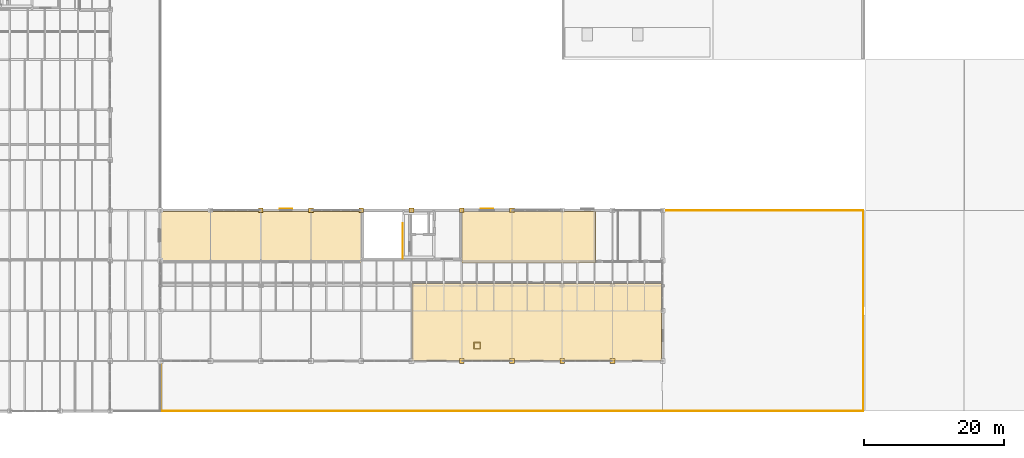
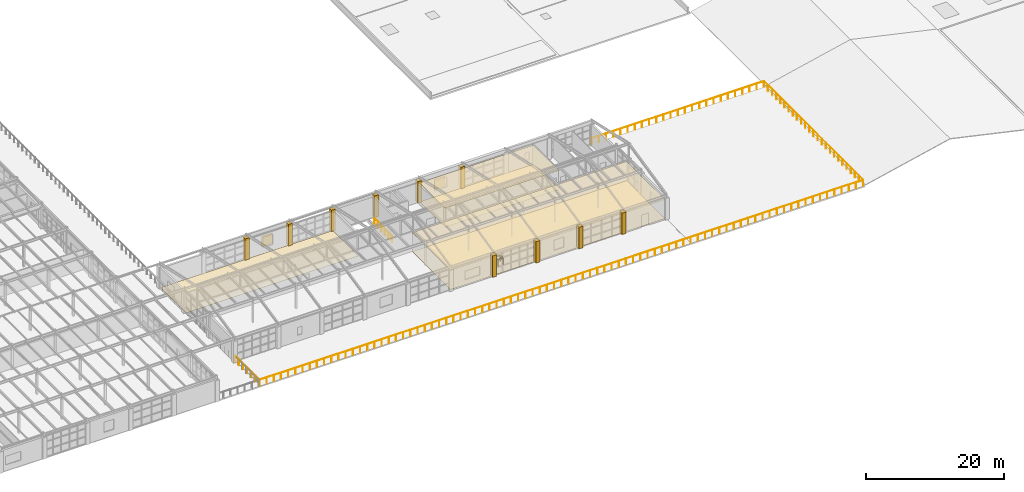
# One storey, part 99 of 101: 15 coverings, 3 railings, 2 shading devices.
"""IFC4 building model written with IfcOpenShell, lengths in metres."""

from ifc_helpers import new_model, si_unit, direction, frame, origin, origin_2d, place, context, subcontext, project, spatial, polyline, rectangle, circle, outline, extrude, material, layer, layer_set, type_object, element, save


model = new_model("IFC4")

# Units and contexts
model_context = context("Model", 3, precision=1e-05, world=origin(), true_north=direction((0.0, 1.0)))
body_context = subcontext(model_context, "Body", "Model", "MODEL_VIEW")
ifc_project = project(units=[si_unit("LENGTHUNIT", "METRE"), si_unit("AREAUNIT", "SQUARE_METRE"), si_unit("VOLUMEUNIT", "CUBIC_METRE"), si_unit("PLANEANGLEUNIT", "RADIAN"), si_unit("MASSUNIT", "GRAM", prefix="KILO")], contexts=[model_context])

# Site, building, storey
site_placement = place(None, origin())
site = spatial("IfcSite", under=ifc_project, at=site_placement, CompositionType="ELEMENT")
building_placement = place(site_placement, origin())
building = spatial("IfcBuilding", under=site, at=building_placement, Name="Kemerveld Promenade Tramway Depot", CompositionType="ELEMENT")
storey_placement = place(building_placement, frame((0.0, 0.0, 9.89990234375)))
storey = spatial("IfcBuildingStorey", under=building, at=storey_placement, Name="L02", CompositionType="ELEMENT", Elevation=9.89990234375)

# Coverings
ifc_material_1 = material(Name="Perforated mineral-fibre acoustic ceiling")
ifc_layer_1 = layer(ifc_material_1, 0.02490234375)
ifc_layer_set_1 = layer_set([ifc_layer_1], Name="COV-CEIL-AC")
covering_type_1 = type_object("IfcCoveringType", Name="COV-CEIL-AC", PredefinedType="CEILING", material=ifc_layer_set_1)
covering_1_placement = place(storey_placement, frame((0.0, 0.0, 3.35498046875)))
element("IfcCovering", 1, at=covering_1_placement, inside=storey, type_object=covering_type_1, Name="CEIL-RM-L02-V4-LIB", PredefinedType="CEILING", context=body_context, shape_type="SweptSolid", body=[
    extrude(outline(polyline([(93.64990234375, 7.25), (129.449951171875, 7.25), (129.449951171875, 18.3349609375), (93.64990234375, 18.3349609375), (93.64990234375, 7.25)])), origin(), (0.0, 0.0, 1.0), 0.025146484375),
])
covering_2_placement = place(storey_placement, frame((0.0, 0.0, 3.35498046875)))
element("IfcCovering", 2, at=covering_2_placement, inside=storey, type_object=covering_type_1, Name="CEIL-RM-L02-V4-TLNG", PredefinedType="CEILING", context=body_context, shape_type="SweptSolid", body=[
    extrude(outline(polyline([(100.85009765625, 21.25), (119.949951171875, 21.25), (119.949951171875, 28.64990234375), (100.85009765625, 28.64990234375), (100.85009765625, 21.25)])), origin(), (0.0, 0.0, 1.0), 0.025146484375),
])
ifc_material_2 = material(Name="Dressed Harare granite ashlar cladding", Category="masonry")
ifc_layer_2 = layer(ifc_material_2, 0.050048828125)
ifc_layer_set_2 = layer_set([ifc_layer_2], Name="COV-CLAD-GRAN")
covering_type_2 = type_object("IfcCoveringType", Name="COV-CLAD-GRAN", PredefinedType="CLADDING", material=ifc_layer_set_2)
covering_3_placement = place(storey_placement, origin())
element("IfcCovering", 3, at=covering_3_placement, inside=storey, type_object=covering_type_2, Name="CLAD-PIER-L02-328", PredefinedType="CLADDING", context=body_context, shape_type="SweptSolid", body=[
    extrude(outline(polyline([(122.06005859375, 6.860107421875), (122.739990234375, 6.860107421875), (122.739990234375, 7.5400390625), (122.06005859375, 7.5400390625), (122.06005859375, 6.860107421875)])), origin(), (0.0, 0.0, 1.0), 3.800048828125),
])
covering_4_placement = place(storey_placement, origin())
element("IfcCovering", 4, at=covering_4_placement, inside=storey, type_object=covering_type_2, Name="CLAD-PIER-L02-329", PredefinedType="CLADDING", context=body_context, shape_type="SweptSolid", body=[
    extrude(outline(polyline([(114.860107421875, 6.860107421875), (115.5400390625, 6.860107421875), (115.5400390625, 7.5400390625), (114.860107421875, 7.5400390625), (114.860107421875, 6.860107421875)])), origin(), (0.0, 0.0, 1.0), 3.800048828125),
])
covering_5_placement = place(storey_placement, origin())
element("IfcCovering", 5, at=covering_5_placement, inside=storey, type_object=covering_type_2, Name="CLAD-PIER-L02-330", PredefinedType="CLADDING", context=body_context, shape_type="SweptSolid", body=[
    extrude(outline(polyline([(107.659912109375, 6.860107421875), (108.340087890625, 6.860107421875), (108.340087890625, 7.5400390625), (107.659912109375, 7.5400390625), (107.659912109375, 6.860107421875)])), origin(), (0.0, 0.0, 1.0), 3.800048828125),
])
covering_6_placement = place(storey_placement, origin())
element("IfcCovering", 6, at=covering_6_placement, inside=storey, type_object=covering_type_2, Name="CLAD-PIER-L02-331", PredefinedType="CLADDING", context=body_context, shape_type="SweptSolid", body=[
    extrude(outline(polyline([(100.4599609375, 6.860107421875), (101.139892578125, 6.860107421875), (101.139892578125, 7.5400390625), (100.4599609375, 7.5400390625), (100.4599609375, 6.860107421875)])), origin(), (0.0, 0.0, 1.0), 3.800048828125),
])
covering_7_placement = place(storey_placement, origin())
element("IfcCovering", 7, at=covering_7_placement, inside=storey, type_object=covering_type_2, Name="CLAD-PIER-L02-339", PredefinedType="CLADDING", context=body_context, shape_type="SweptSolid", body=[
    extrude(outline(polyline([(71.659912109375, 28.4599609375), (72.340087890625, 28.4599609375), (72.340087890625, 29.139892578125), (71.659912109375, 29.139892578125), (71.659912109375, 28.4599609375)])), origin(), (0.0, 0.0, 1.0), 3.800048828125),
])
covering_8_placement = place(storey_placement, origin())
element("IfcCovering", 8, at=covering_8_placement, inside=storey, type_object=covering_type_2, Name="CLAD-PIER-L02-340", PredefinedType="CLADDING", context=body_context, shape_type="SweptSolid", body=[
    extrude(outline(polyline([(78.860107421875, 28.4599609375), (79.5400390625, 28.4599609375), (79.5400390625, 29.139892578125), (78.860107421875, 29.139892578125), (78.860107421875, 28.4599609375)])), origin(), (0.0, 0.0, 1.0), 3.800048828125),
])
covering_9_placement = place(storey_placement, origin())
element("IfcCovering", 9, at=covering_9_placement, inside=storey, type_object=covering_type_2, Name="CLAD-PIER-L02-341", PredefinedType="CLADDING", context=body_context, shape_type="SweptSolid", body=[
    extrude(outline(polyline([(86.06005859375, 28.4599609375), (86.739990234375, 28.4599609375), (86.739990234375, 29.139892578125), (86.06005859375, 29.139892578125), (86.06005859375, 28.4599609375)])), origin(), (0.0, 0.0, 1.0), 3.800048828125),
])
covering_10_placement = place(storey_placement, origin())
element("IfcCovering", 10, at=covering_10_placement, inside=storey, type_object=covering_type_2, Name="CLAD-PIER-L02-342", PredefinedType="CLADDING", context=body_context, shape_type="SweptSolid", body=[
    extrude(outline(polyline([(93.260009765625, 28.4599609375), (93.93994140625, 28.4599609375), (93.93994140625, 29.139892578125), (93.260009765625, 29.139892578125), (93.260009765625, 28.4599609375)])), origin(), (0.0, 0.0, 1.0), 3.800048828125),
])
covering_11_placement = place(storey_placement, origin())
element("IfcCovering", 11, at=covering_11_placement, inside=storey, type_object=covering_type_2, Name="CLAD-PIER-L02-343", PredefinedType="CLADDING", context=body_context, shape_type="SweptSolid", body=[
    extrude(outline(polyline([(100.4599609375, 28.4599609375), (101.139892578125, 28.4599609375), (101.139892578125, 29.139892578125), (100.4599609375, 29.139892578125), (100.4599609375, 28.4599609375)])), origin(), (0.0, 0.0, 1.0), 3.800048828125),
])
covering_12_placement = place(storey_placement, origin())
element("IfcCovering", 12, at=covering_12_placement, inside=storey, type_object=covering_type_2, Name="CLAD-PIER-L02-344", PredefinedType="CLADDING", context=body_context, shape_type="SweptSolid", body=[
    extrude(outline(polyline([(107.659912109375, 28.4599609375), (108.340087890625, 28.4599609375), (108.340087890625, 29.139892578125), (107.659912109375, 29.139892578125), (107.659912109375, 28.4599609375)])), origin(), (0.0, 0.0, 1.0), 3.800048828125),
])
ifc_material_3 = material(Name="Honed Harare granite terrazzo flooring", Category="masonry")
ifc_layer_3 = layer(ifc_material_3, 0.02001953125)
ifc_layer_set_3 = layer_set([ifc_layer_3], Name="COV-FLR-TERR")
covering_type_3 = type_object("IfcCoveringType", Name="COV-FLR-TERR", PredefinedType="FLOORING", material=ifc_layer_set_3)
covering_13_placement = place(storey_placement, origin())
element("IfcCovering", 13, at=covering_13_placement, inside=storey, type_object=covering_type_3, Name="FLR-RM-L02-V4-LIB", PredefinedType="FLOORING", context=body_context, shape_type="SweptSolid", body=[
    extrude(outline(polyline([(93.64990234375, 7.25), (129.449951171875, 7.25), (129.449951171875, 18.3349609375), (93.64990234375, 18.3349609375), (93.64990234375, 7.25)])), origin(), (0.0, 0.0, 1.0), 0.02001953125),
])
covering_14_placement = place(storey_placement, origin())
element("IfcCovering", 14, at=covering_14_placement, inside=storey, type_object=covering_type_3, Name="FLR-RM-L02-V4-CUR", PredefinedType="FLOORING", context=body_context, shape_type="SweptSolid", body=[
    extrude(outline(polyline([(57.64990234375, 21.25), (86.35009765625, 21.25), (86.35009765625, 28.64990234375), (57.64990234375, 28.64990234375), (57.64990234375, 21.25)])), origin(), (0.0, 0.0, 1.0), 0.02001953125),
])
covering_15_placement = place(storey_placement, origin())
element("IfcCovering", 15, at=covering_15_placement, inside=storey, type_object=covering_type_3, Name="FLR-RM-L02-V4-TLNG", PredefinedType="FLOORING", context=body_context, shape_type="SweptSolid", body=[
    extrude(outline(polyline([(100.85009765625, 21.25), (119.949951171875, 21.25), (119.949951171875, 28.64990234375), (100.85009765625, 28.64990234375), (100.85009765625, 21.25)])), origin(), (0.0, 0.0, 1.0), 0.02001953125),
])

# Railings
ifc_material_4 = material(Name="Bronze-finished steel and laminated safety glass", Category="steel")
railing_type_1 = type_object("IfcRailingType", Name="RL-BAL-1100", PredefinedType="BALUSTRADE", material=ifc_material_4)
railing_1_placement = place(storey_placement, frame((129.64990234375, 28.75, 0.0)))
element("IfcRailing", 16, at=railing_1_placement, inside=storey, type_object=railing_type_1, Name="RL-TER-L02-PROM", PredefinedType="BALUSTRADE", context=body_context, shape_type="SweptSolid", body=[
    extrude(circle(Radius=0.02392578125, at=origin_2d()), frame((0.0, 0.0, 1.09619140625), z_axis=(1.0, 0.0, 0.0), x_axis=(0.0, 1.0, 0.0)), (0.0, 0.0, 1.0), 28.7001953125),
    extrude(circle(Radius=0.02392578125, at=origin_2d()), frame((28.7001953125, 0.0, 1.09619140625), z_axis=(0.0, -1.0, 0.0), x_axis=(1.0, 0.0, 0.0)), (0.0, 0.0, 1.0), 28.699951171875),
    extrude(circle(Radius=0.02392578125, at=origin_2d()), frame((28.7001953125, -28.699951171875, 1.09619140625), z_axis=(-1.0, 0.0, 0.0), x_axis=(0.0, -1.0, 0.0)), (0.0, 0.0, 1.0), 100.7001953125),
    extrude(circle(Radius=0.02392578125, at=origin_2d()), frame((-72.0, -28.699951171875, 1.09619140625), z_axis=(0.0, 1.0, 0.0), x_axis=(-1.0, 0.0, 0.0)), (0.0, 0.0, 1.0), 7.099853515625),
    extrude(circle(Radius=0.02099609375, at=origin_2d()), origin(), (0.0, 0.0, 1.0), 1.072021484375),
    extrude(circle(Radius=0.02099609375, at=origin_2d()), frame((1.19580078125, 0.0, 0.0)), (0.0, 0.0, 1.0), 1.072021484375),
    extrude(circle(Radius=0.02099609375, at=origin_2d()), frame((2.3916015625, 0.0, 0.0)), (0.0, 0.0, 1.0), 1.072021484375),
    extrude(circle(Radius=0.02099609375, at=origin_2d()), frame((3.58740234375, 0.0, 0.0)), (0.0, 0.0, 1.0), 1.072021484375),
    extrude(circle(Radius=0.02099609375, at=origin_2d()), frame((4.783447265625, 0.0, 0.0)), (0.0, 0.0, 1.0), 1.072021484375),
    extrude(circle(Radius=0.02099609375, at=origin_2d()), frame((5.979248046875, 0.0, 0.0)), (0.0, 0.0, 1.0), 1.072021484375),
    extrude(circle(Radius=0.02099609375, at=origin_2d()), frame((7.175048828125, 0.0, 0.0)), (0.0, 0.0, 1.0), 1.072021484375),
    extrude(circle(Radius=0.02099609375, at=origin_2d()), frame((8.370849609375, 0.0, 0.0)), (0.0, 0.0, 1.0), 1.072021484375),
    extrude(circle(Radius=0.02099609375, at=origin_2d()), frame((9.566650390625, 0.0, 0.0)), (0.0, 0.0, 1.0), 1.072021484375),
    extrude(circle(Radius=0.02099609375, at=origin_2d()), frame((10.7626953125, 0.0, 0.0)), (0.0, 0.0, 1.0), 1.072021484375),
    extrude(circle(Radius=0.02099609375, at=origin_2d()), frame((11.95849609375, 0.0, 0.0)), (0.0, 0.0, 1.0), 1.072021484375),
    extrude(circle(Radius=0.02099609375, at=origin_2d()), frame((13.154296875, 0.0, 0.0)), (0.0, 0.0, 1.0), 1.072021484375),
    extrude(circle(Radius=0.02099609375, at=origin_2d()), frame((14.35009765625, 0.0, 0.0)), (0.0, 0.0, 1.0), 1.072021484375),
    extrude(circle(Radius=0.02099609375, at=origin_2d()), frame((15.5458984375, 0.0, 0.0)), (0.0, 0.0, 1.0), 1.072021484375),
    extrude(circle(Radius=0.02099609375, at=origin_2d()), frame((16.74169921875, 0.0, 0.0)), (0.0, 0.0, 1.0), 1.072021484375),
    extrude(circle(Radius=0.02099609375, at=origin_2d()), frame((17.9375, 0.0, 0.0)), (0.0, 0.0, 1.0), 1.072021484375),
    extrude(circle(Radius=0.02099609375, at=origin_2d()), frame((19.133544921875, 0.0, 0.0)), (0.0, 0.0, 1.0), 1.072021484375),
    extrude(circle(Radius=0.02099609375, at=origin_2d()), frame((20.329345703125, 0.0, 0.0)), (0.0, 0.0, 1.0), 1.072021484375),
    extrude(circle(Radius=0.02099609375, at=origin_2d()), frame((21.525146484375, 0.0, 0.0)), (0.0, 0.0, 1.0), 1.072021484375),
    extrude(circle(Radius=0.02099609375, at=origin_2d()), frame((22.720947265625, 0.0, 0.0)), (0.0, 0.0, 1.0), 1.072021484375),
    extrude(circle(Radius=0.02099609375, at=origin_2d()), frame((23.916748046875, 0.0, 0.0)), (0.0, 0.0, 1.0), 1.072021484375),
    extrude(circle(Radius=0.02099609375, at=origin_2d()), frame((25.11279296875, 0.0, 0.0)), (0.0, 0.0, 1.0), 1.072021484375),
    extrude(circle(Radius=0.02099609375, at=origin_2d()), frame((26.30859375, 0.0, 0.0)), (0.0, 0.0, 1.0), 1.072021484375),
    extrude(circle(Radius=0.02099609375, at=origin_2d()), frame((27.50439453125, 0.0, 0.0)), (0.0, 0.0, 1.0), 1.072021484375),
    extrude(circle(Radius=0.02099609375, at=origin_2d()), frame((28.7001953125, 0.0, 0.0)), (0.0, 0.0, 1.0), 1.072021484375),
    extrude(circle(Radius=0.02099609375, at=origin_2d()), frame((28.7001953125, -1.19580078125, 0.0)), (0.0, 0.0, 1.0), 1.072021484375),
    extrude(circle(Radius=0.02099609375, at=origin_2d()), frame((28.7001953125, -2.3916015625, 0.0)), (0.0, 0.0, 1.0), 1.072021484375),
    extrude(circle(Radius=0.02099609375, at=origin_2d()), frame((28.7001953125, -3.58740234375, 0.0)), (0.0, 0.0, 1.0), 1.072021484375),
    extrude(circle(Radius=0.02099609375, at=origin_2d()), frame((28.7001953125, -4.783203125, 0.0)), (0.0, 0.0, 1.0), 1.072021484375),
    extrude(circle(Radius=0.02099609375, at=origin_2d()), frame((28.7001953125, -5.979248046875, 0.0)), (0.0, 0.0, 1.0), 1.072021484375),
    extrude(circle(Radius=0.02099609375, at=origin_2d()), frame((28.7001953125, -7.175048828125, 0.0)), (0.0, 0.0, 1.0), 1.072021484375),
    extrude(circle(Radius=0.02099609375, at=origin_2d()), frame((28.7001953125, -8.370849609375, 0.0)), (0.0, 0.0, 1.0), 1.072021484375),
    extrude(circle(Radius=0.02099609375, at=origin_2d()), frame((28.7001953125, -9.566650390625, 0.0)), (0.0, 0.0, 1.0), 1.072021484375),
    extrude(circle(Radius=0.02099609375, at=origin_2d()), frame((28.7001953125, -10.762451171875, 0.0)), (0.0, 0.0, 1.0), 1.072021484375),
    extrude(circle(Radius=0.02099609375, at=origin_2d()), frame((28.7001953125, -11.958251953125, 0.0)), (0.0, 0.0, 1.0), 1.072021484375),
    extrude(circle(Radius=0.02099609375, at=origin_2d()), frame((28.7001953125, -13.154052734375, 0.0)), (0.0, 0.0, 1.0), 1.072021484375),
    extrude(circle(Radius=0.02099609375, at=origin_2d()), frame((28.7001953125, -14.35009765625, 0.0)), (0.0, 0.0, 1.0), 1.072021484375),
    extrude(circle(Radius=0.02099609375, at=origin_2d()), frame((28.7001953125, -15.5458984375, 0.0)), (0.0, 0.0, 1.0), 1.072021484375),
    extrude(circle(Radius=0.02099609375, at=origin_2d()), frame((28.7001953125, -16.74169921875, 0.0)), (0.0, 0.0, 1.0), 1.072021484375),
    extrude(circle(Radius=0.02099609375, at=origin_2d()), frame((28.7001953125, -17.9375, 0.0)), (0.0, 0.0, 1.0), 1.072021484375),
    extrude(circle(Radius=0.02099609375, at=origin_2d()), frame((28.7001953125, -19.13330078125, 0.0)), (0.0, 0.0, 1.0), 1.072021484375),
    extrude(circle(Radius=0.02099609375, at=origin_2d()), frame((28.7001953125, -20.3291015625, 0.0)), (0.0, 0.0, 1.0), 1.072021484375),
    extrude(circle(Radius=0.02099609375, at=origin_2d()), frame((28.7001953125, -21.52490234375, 0.0)), (0.0, 0.0, 1.0), 1.072021484375),
    extrude(circle(Radius=0.02099609375, at=origin_2d()), frame((28.7001953125, -22.720703125, 0.0)), (0.0, 0.0, 1.0), 1.072021484375),
    extrude(circle(Radius=0.02099609375, at=origin_2d()), frame((28.7001953125, -23.91650390625, 0.0)), (0.0, 0.0, 1.0), 1.072021484375),
    extrude(circle(Radius=0.02099609375, at=origin_2d()), frame((28.7001953125, -25.112548828125, 0.0)), (0.0, 0.0, 1.0), 1.072021484375),
    extrude(circle(Radius=0.02099609375, at=origin_2d()), frame((28.7001953125, -26.308349609375, 0.0)), (0.0, 0.0, 1.0), 1.072021484375),
    extrude(circle(Radius=0.02099609375, at=origin_2d()), frame((28.7001953125, -27.504150390625, 0.0)), (0.0, 0.0, 1.0), 1.072021484375),
    extrude(circle(Radius=0.02099609375, at=origin_2d()), frame((28.7001953125, -28.699951171875, 0.0)), (0.0, 0.0, 1.0), 1.072021484375),
    extrude(circle(Radius=0.02099609375, at=origin_2d()), frame((27.50146484375, -28.699951171875, 0.0)), (0.0, 0.0, 1.0), 1.072021484375),
    extrude(circle(Radius=0.02099609375, at=origin_2d()), frame((26.302490234375, -28.699951171875, 0.0)), (0.0, 0.0, 1.0), 1.072021484375),
    extrude(circle(Radius=0.02099609375, at=origin_2d()), frame((25.103759765625, -28.699951171875, 0.0)), (0.0, 0.0, 1.0), 1.072021484375),
    extrude(circle(Radius=0.02099609375, at=origin_2d()), frame((23.905029296875, -28.699951171875, 0.0)), (0.0, 0.0, 1.0), 1.072021484375),
    extrude(circle(Radius=0.02099609375, at=origin_2d()), frame((22.7060546875, -28.699951171875, 0.0)), (0.0, 0.0, 1.0), 1.072021484375),
    extrude(circle(Radius=0.02099609375, at=origin_2d()), frame((21.50732421875, -28.699951171875, 0.0)), (0.0, 0.0, 1.0), 1.072021484375),
    extrude(circle(Radius=0.02099609375, at=origin_2d()), frame((20.30859375, -28.699951171875, 0.0)), (0.0, 0.0, 1.0), 1.072021484375),
    extrude(circle(Radius=0.02099609375, at=origin_2d()), frame((19.109619140625, -28.699951171875, 0.0)), (0.0, 0.0, 1.0), 1.072021484375),
    extrude(circle(Radius=0.02099609375, at=origin_2d()), frame((17.910888671875, -28.699951171875, 0.0)), (0.0, 0.0, 1.0), 1.072021484375),
    extrude(circle(Radius=0.02099609375, at=origin_2d()), frame((16.712158203125, -28.699951171875, 0.0)), (0.0, 0.0, 1.0), 1.072021484375),
    extrude(circle(Radius=0.02099609375, at=origin_2d()), frame((15.51318359375, -28.699951171875, 0.0)), (0.0, 0.0, 1.0), 1.072021484375),
    extrude(circle(Radius=0.02099609375, at=origin_2d()), frame((14.314453125, -28.699951171875, 0.0)), (0.0, 0.0, 1.0), 1.072021484375),
    extrude(circle(Radius=0.02099609375, at=origin_2d()), frame((13.11572265625, -28.699951171875, 0.0)), (0.0, 0.0, 1.0), 1.072021484375),
    extrude(circle(Radius=0.02099609375, at=origin_2d()), frame((11.916748046875, -28.699951171875, 0.0)), (0.0, 0.0, 1.0), 1.072021484375),
    extrude(circle(Radius=0.02099609375, at=origin_2d()), frame((10.718017578125, -28.699951171875, 0.0)), (0.0, 0.0, 1.0), 1.072021484375),
    extrude(circle(Radius=0.02099609375, at=origin_2d()), frame((9.519287109375, -28.699951171875, 0.0)), (0.0, 0.0, 1.0), 1.072021484375),
    extrude(circle(Radius=0.02099609375, at=origin_2d()), frame((8.3203125, -28.699951171875, 0.0)), (0.0, 0.0, 1.0), 1.072021484375),
    extrude(circle(Radius=0.02099609375, at=origin_2d()), frame((7.12158203125, -28.699951171875, 0.0)), (0.0, 0.0, 1.0), 1.072021484375),
    extrude(circle(Radius=0.02099609375, at=origin_2d()), frame((5.9228515625, -28.699951171875, 0.0)), (0.0, 0.0, 1.0), 1.072021484375),
    extrude(circle(Radius=0.02099609375, at=origin_2d()), frame((4.723876953125, -28.699951171875, 0.0)), (0.0, 0.0, 1.0), 1.072021484375),
    extrude(circle(Radius=0.02099609375, at=origin_2d()), frame((3.525146484375, -28.699951171875, 0.0)), (0.0, 0.0, 1.0), 1.072021484375),
    extrude(circle(Radius=0.02099609375, at=origin_2d()), frame((2.326416015625, -28.699951171875, 0.0)), (0.0, 0.0, 1.0), 1.072021484375),
    extrude(circle(Radius=0.02099609375, at=origin_2d()), frame((1.12744140625, -28.699951171875, 0.0)), (0.0, 0.0, 1.0), 1.072021484375),
    extrude(circle(Radius=0.02099609375, at=origin_2d()), frame((-0.0712890625, -28.699951171875, 0.0)), (0.0, 0.0, 1.0), 1.072021484375),
    extrude(circle(Radius=0.02099609375, at=origin_2d()), frame((-1.27001953125, -28.699951171875, 0.0)), (0.0, 0.0, 1.0), 1.072021484375),
    extrude(circle(Radius=0.02099609375, at=origin_2d()), frame((-2.468994140625, -28.699951171875, 0.0)), (0.0, 0.0, 1.0), 1.072021484375),
    extrude(circle(Radius=0.02099609375, at=origin_2d()), frame((-3.667724609375, -28.699951171875, 0.0)), (0.0, 0.0, 1.0), 1.072021484375),
    extrude(circle(Radius=0.02099609375, at=origin_2d()), frame((-4.866455078125, -28.699951171875, 0.0)), (0.0, 0.0, 1.0), 1.072021484375),
    extrude(circle(Radius=0.02099609375, at=origin_2d()), frame((-6.0654296875, -28.699951171875, 0.0)), (0.0, 0.0, 1.0), 1.072021484375),
    extrude(circle(Radius=0.02099609375, at=origin_2d()), frame((-7.26416015625, -28.699951171875, 0.0)), (0.0, 0.0, 1.0), 1.072021484375),
    extrude(circle(Radius=0.02099609375, at=origin_2d()), frame((-8.462890625, -28.699951171875, 0.0)), (0.0, 0.0, 1.0), 1.072021484375),
    extrude(circle(Radius=0.02099609375, at=origin_2d()), frame((-9.661865234375, -28.699951171875, 0.0)), (0.0, 0.0, 1.0), 1.072021484375),
    extrude(circle(Radius=0.02099609375, at=origin_2d()), frame((-10.860595703125, -28.699951171875, 0.0)), (0.0, 0.0, 1.0), 1.072021484375),
    extrude(circle(Radius=0.02099609375, at=origin_2d()), frame((-12.059326171875, -28.699951171875, 0.0)), (0.0, 0.0, 1.0), 1.072021484375),
    extrude(circle(Radius=0.02099609375, at=origin_2d()), frame((-13.25830078125, -28.699951171875, 0.0)), (0.0, 0.0, 1.0), 1.072021484375),
    extrude(circle(Radius=0.02099609375, at=origin_2d()), frame((-14.45703125, -28.699951171875, 0.0)), (0.0, 0.0, 1.0), 1.072021484375),
    extrude(circle(Radius=0.02099609375, at=origin_2d()), frame((-15.65576171875, -28.699951171875, 0.0)), (0.0, 0.0, 1.0), 1.072021484375),
    extrude(circle(Radius=0.02099609375, at=origin_2d()), frame((-16.854736328125, -28.699951171875, 0.0)), (0.0, 0.0, 1.0), 1.072021484375),
    extrude(circle(Radius=0.02099609375, at=origin_2d()), frame((-18.053466796875, -28.699951171875, 0.0)), (0.0, 0.0, 1.0), 1.072021484375),
    extrude(circle(Radius=0.02099609375, at=origin_2d()), frame((-19.252197265625, -28.699951171875, 0.0)), (0.0, 0.0, 1.0), 1.072021484375),
    extrude(circle(Radius=0.02099609375, at=origin_2d()), frame((-20.451171875, -28.699951171875, 0.0)), (0.0, 0.0, 1.0), 1.072021484375),
    extrude(circle(Radius=0.02099609375, at=origin_2d()), frame((-21.64990234375, -28.699951171875, 0.0)), (0.0, 0.0, 1.0), 1.072021484375),
    extrude(circle(Radius=0.02099609375, at=origin_2d()), frame((-22.8486328125, -28.699951171875, 0.0)), (0.0, 0.0, 1.0), 1.072021484375),
    extrude(circle(Radius=0.02099609375, at=origin_2d()), frame((-24.047607421875, -28.699951171875, 0.0)), (0.0, 0.0, 1.0), 1.072021484375),
    extrude(circle(Radius=0.02099609375, at=origin_2d()), frame((-25.246337890625, -28.699951171875, 0.0)), (0.0, 0.0, 1.0), 1.072021484375),
    extrude(circle(Radius=0.02099609375, at=origin_2d()), frame((-26.445068359375, -28.699951171875, 0.0)), (0.0, 0.0, 1.0), 1.072021484375),
    extrude(circle(Radius=0.02099609375, at=origin_2d()), frame((-27.64404296875, -28.699951171875, 0.0)), (0.0, 0.0, 1.0), 1.072021484375),
    extrude(circle(Radius=0.02099609375, at=origin_2d()), frame((-28.8427734375, -28.699951171875, 0.0)), (0.0, 0.0, 1.0), 1.072021484375),
    extrude(circle(Radius=0.02099609375, at=origin_2d()), frame((-30.04150390625, -28.699951171875, 0.0)), (0.0, 0.0, 1.0), 1.072021484375),
    extrude(circle(Radius=0.02099609375, at=origin_2d()), frame((-31.240478515625, -28.699951171875, 0.0)), (0.0, 0.0, 1.0), 1.072021484375),
    extrude(circle(Radius=0.02099609375, at=origin_2d()), frame((-32.439208984375, -28.699951171875, 0.0)), (0.0, 0.0, 1.0), 1.072021484375),
    extrude(circle(Radius=0.02099609375, at=origin_2d()), frame((-33.637939453125, -28.699951171875, 0.0)), (0.0, 0.0, 1.0), 1.072021484375),
    extrude(circle(Radius=0.02099609375, at=origin_2d()), frame((-34.8369140625, -28.699951171875, 0.0)), (0.0, 0.0, 1.0), 1.072021484375),
    extrude(circle(Radius=0.02099609375, at=origin_2d()), frame((-36.03564453125, -28.699951171875, 0.0)), (0.0, 0.0, 1.0), 1.072021484375),
    extrude(circle(Radius=0.02099609375, at=origin_2d()), frame((-37.234375, -28.699951171875, 0.0)), (0.0, 0.0, 1.0), 1.072021484375),
    extrude(circle(Radius=0.02099609375, at=origin_2d()), frame((-38.433349609375, -28.699951171875, 0.0)), (0.0, 0.0, 1.0), 1.072021484375),
    extrude(circle(Radius=0.02099609375, at=origin_2d()), frame((-39.632080078125, -28.699951171875, 0.0)), (0.0, 0.0, 1.0), 1.072021484375),
    extrude(circle(Radius=0.02099609375, at=origin_2d()), frame((-40.830810546875, -28.699951171875, 0.0)), (0.0, 0.0, 1.0), 1.072021484375),
    extrude(circle(Radius=0.02099609375, at=origin_2d()), frame((-42.02978515625, -28.699951171875, 0.0)), (0.0, 0.0, 1.0), 1.072021484375),
    extrude(circle(Radius=0.02099609375, at=origin_2d()), frame((-43.228515625, -28.699951171875, 0.0)), (0.0, 0.0, 1.0), 1.072021484375),
    extrude(circle(Radius=0.02099609375, at=origin_2d()), frame((-44.42724609375, -28.699951171875, 0.0)), (0.0, 0.0, 1.0), 1.072021484375),
    extrude(circle(Radius=0.02099609375, at=origin_2d()), frame((-45.626220703125, -28.699951171875, 0.0)), (0.0, 0.0, 1.0), 1.072021484375),
    extrude(circle(Radius=0.02099609375, at=origin_2d()), frame((-46.824951171875, -28.699951171875, 0.0)), (0.0, 0.0, 1.0), 1.072021484375),
    extrude(circle(Radius=0.02099609375, at=origin_2d()), frame((-48.023681640625, -28.699951171875, 0.0)), (0.0, 0.0, 1.0), 1.072021484375),
    extrude(circle(Radius=0.02099609375, at=origin_2d()), frame((-49.22265625, -28.699951171875, 0.0)), (0.0, 0.0, 1.0), 1.072021484375),
    extrude(circle(Radius=0.02099609375, at=origin_2d()), frame((-50.42138671875, -28.699951171875, 0.0)), (0.0, 0.0, 1.0), 1.072021484375),
    extrude(circle(Radius=0.02099609375, at=origin_2d()), frame((-51.6201171875, -28.699951171875, 0.0)), (0.0, 0.0, 1.0), 1.072021484375),
    extrude(circle(Radius=0.02099609375, at=origin_2d()), frame((-52.819091796875, -28.699951171875, 0.0)), (0.0, 0.0, 1.0), 1.072021484375),
    extrude(circle(Radius=0.02099609375, at=origin_2d()), frame((-54.017822265625, -28.699951171875, 0.0)), (0.0, 0.0, 1.0), 1.072021484375),
    extrude(circle(Radius=0.02099609375, at=origin_2d()), frame((-55.216552734375, -28.699951171875, 0.0)), (0.0, 0.0, 1.0), 1.072021484375),
    extrude(circle(Radius=0.02099609375, at=origin_2d()), frame((-56.41552734375, -28.699951171875, 0.0)), (0.0, 0.0, 1.0), 1.072021484375),
    extrude(circle(Radius=0.02099609375, at=origin_2d()), frame((-57.6142578125, -28.699951171875, 0.0)), (0.0, 0.0, 1.0), 1.072021484375),
    extrude(circle(Radius=0.02099609375, at=origin_2d()), frame((-58.81298828125, -28.699951171875, 0.0)), (0.0, 0.0, 1.0), 1.072021484375),
    extrude(circle(Radius=0.02099609375, at=origin_2d()), frame((-60.011962890625, -28.699951171875, 0.0)), (0.0, 0.0, 1.0), 1.072021484375),
    extrude(circle(Radius=0.02099609375, at=origin_2d()), frame((-61.210693359375, -28.699951171875, 0.0)), (0.0, 0.0, 1.0), 1.072021484375),
    extrude(circle(Radius=0.02099609375, at=origin_2d()), frame((-62.409423828125, -28.699951171875, 0.0)), (0.0, 0.0, 1.0), 1.072021484375),
    extrude(circle(Radius=0.02099609375, at=origin_2d()), frame((-63.6083984375, -28.699951171875, 0.0)), (0.0, 0.0, 1.0), 1.072021484375),
    extrude(circle(Radius=0.02099609375, at=origin_2d()), frame((-64.80712890625, -28.699951171875, 0.0)), (0.0, 0.0, 1.0), 1.072021484375),
    extrude(circle(Radius=0.02099609375, at=origin_2d()), frame((-66.005859375, -28.699951171875, 0.0)), (0.0, 0.0, 1.0), 1.072021484375),
    extrude(circle(Radius=0.02099609375, at=origin_2d()), frame((-67.204833984375, -28.699951171875, 0.0)), (0.0, 0.0, 1.0), 1.072021484375),
    extrude(circle(Radius=0.02099609375, at=origin_2d()), frame((-68.403564453125, -28.699951171875, 0.0)), (0.0, 0.0, 1.0), 1.072021484375),
    extrude(circle(Radius=0.02099609375, at=origin_2d()), frame((-69.602294921875, -28.699951171875, 0.0)), (0.0, 0.0, 1.0), 1.072021484375),
    extrude(circle(Radius=0.02099609375, at=origin_2d()), frame((-70.80126953125, -28.699951171875, 0.0)), (0.0, 0.0, 1.0), 1.072021484375),
    extrude(circle(Radius=0.02099609375, at=origin_2d()), frame((-72.0, -28.699951171875, 0.0)), (0.0, 0.0, 1.0), 1.072021484375),
    extrude(circle(Radius=0.02099609375, at=origin_2d()), frame((-72.0, -27.5166015625, 0.0)), (0.0, 0.0, 1.0), 1.072021484375),
    extrude(circle(Radius=0.02099609375, at=origin_2d()), frame((-72.0, -26.333251953125, 0.0)), (0.0, 0.0, 1.0), 1.072021484375),
    extrude(circle(Radius=0.02099609375, at=origin_2d()), frame((-72.0, -25.14990234375, 0.0)), (0.0, 0.0, 1.0), 1.072021484375),
    extrude(circle(Radius=0.02099609375, at=origin_2d()), frame((-72.0, -23.966796875, 0.0)), (0.0, 0.0, 1.0), 1.072021484375),
    extrude(circle(Radius=0.02099609375, at=origin_2d()), frame((-72.0, -22.783447265625, 0.0)), (0.0, 0.0, 1.0), 1.072021484375),
    extrude(circle(Radius=0.02099609375, at=origin_2d()), frame((-72.0, -21.60009765625, 0.0)), (0.0, 0.0, 1.0), 1.072021484375),
])
ifc_material_5 = material(Name="Galvanised painted steel balustrade", Category="steel")
railing_type_2 = type_object("IfcRailingType", Name="RL-GRD-1100", PredefinedType="GUARDRAIL", material=ifc_material_5)
railing_2_placement = place(storey_placement, frame((92.35009765625, 21.8798828125, 0.0)))
element("IfcRailing", 17, at=railing_2_placement, inside=storey, type_object=railing_type_2, Name="RL-WELL-C4-L02", PredefinedType="GUARDRAIL", context=body_context, shape_type="SweptSolid", body=[
    extrude(circle(Radius=0.02392578125, at=origin_2d()), frame((0.0, 0.0, 1.09619140625), z_axis=(0.0, 1.0, 0.0), x_axis=(-1.0, 0.0, 0.0)), (0.0, 0.0, 1.0), 5.065185546875),
    extrude(circle(Radius=0.02099609375, at=origin_2d()), origin(), (0.0, 0.0, 1.0), 1.072021484375),
    extrude(circle(Radius=0.02099609375, at=origin_2d()), frame((0.0, 1.012939453125, 0.0)), (0.0, 0.0, 1.0), 1.072021484375),
    extrude(circle(Radius=0.02099609375, at=origin_2d()), frame((0.0, 2.026123046875, 0.0)), (0.0, 0.0, 1.0), 1.072021484375),
    extrude(circle(Radius=0.02099609375, at=origin_2d()), frame((0.0, 3.0390625, 0.0)), (0.0, 0.0, 1.0), 1.072021484375),
    extrude(circle(Radius=0.02099609375, at=origin_2d()), frame((0.0, 4.05224609375, 0.0)), (0.0, 0.0, 1.0), 1.072021484375),
    extrude(circle(Radius=0.02099609375, at=origin_2d()), frame((0.0, 5.065185546875, 0.0)), (0.0, 0.0, 1.0), 1.072021484375),
])
railing_3_placement = place(storey_placement, frame((102.56005859375, 8.9599609375, 0.0)))
element("IfcRailing", 18, at=railing_3_placement, inside=storey, type_object=railing_type_2, Name="RL-DUCT-L02-08", PredefinedType="GUARDRAIL", context=body_context, shape_type="SweptSolid", body=[
    extrude(circle(Radius=0.02392578125, at=origin_2d()), frame((0.0, 0.0, 1.09619140625), z_axis=(1.0, 0.0, 0.0), x_axis=(0.0, 1.0, 0.0)), (0.0, 0.0, 1.0), 0.8798828125),
    extrude(circle(Radius=0.02392578125, at=origin_2d()), frame((0.8798828125, 0.0, 1.09619140625), z_axis=(0.0, 1.0, 0.0), x_axis=(-1.0, 0.0, 0.0)), (0.0, 0.0, 1.0), 0.880126953125),
    extrude(circle(Radius=0.02392578125, at=origin_2d()), frame((0.8798828125, 0.880126953125, 1.09619140625), z_axis=(-1.0, 0.0, 0.0), x_axis=(0.0, -1.0, 0.0)), (0.0, 0.0, 1.0), 0.8798828125),
    extrude(circle(Radius=0.02392578125, at=origin_2d()), frame((0.0, 0.880126953125, 1.09619140625), z_axis=(0.0, -1.0, 0.0), x_axis=(1.0, 0.0, 0.0)), (0.0, 0.0, 1.0), 0.820068359375),
    extrude(circle(Radius=0.02099609375, at=origin_2d()), origin(), (0.0, 0.0, 1.0), 1.072021484375),
    extrude(circle(Radius=0.02099609375, at=origin_2d()), frame((0.8798828125, 0.0, 0.0)), (0.0, 0.0, 1.0), 1.072021484375),
    extrude(circle(Radius=0.02099609375, at=origin_2d()), frame((0.8798828125, 0.880126953125, 0.0)), (0.0, 0.0, 1.0), 1.072021484375),
    extrude(circle(Radius=0.02099609375, at=origin_2d()), frame((0.0, 0.880126953125, 0.0)), (0.0, 0.0, 1.0), 1.072021484375),
    extrude(circle(Radius=0.02099609375, at=origin_2d()), frame((0.0, 0.06005859375, 0.0)), (0.0, 0.0, 1.0), 1.072021484375),
])

# Shading devices
ifc_material_6 = material(Name="Perforated bronze-aluminium sun screen", Category="aluminium")
ifc_layer_4 = layer(ifc_material_6, 0.080078125)
ifc_layer_set_4 = layer_set([ifc_layer_4], Name="SHD-SCREEN")
shading_device_type = type_object("IfcShadingDeviceType", Name="SHD-SCREEN", PredefinedType="SHUTTER", material=ifc_layer_set_4)
for number, where, z_axis, x_axis, name in (
    (19, (75.60009765625, 29.0, 1.05029296875), (0.0, 0.0, 1.0), (1.0, 0.0, 0.0), "SHD-L02-025"),
    (20, (104.39990234375, 29.0, 1.05029296875), (0.0, 0.0, 1.0), (1.0, 0.0, 0.0), "SHD-L02-026"),
):
    element("IfcShadingDevice", number, at=place(storey_placement, frame(where, z_axis=z_axis, x_axis=x_axis)), inside=storey, type_object=shading_device_type, Name=name, PredefinedType="SHUTTER", context=body_context, shape_type="SweptSolid", body=[
        extrude(rectangle(XDim=1.800048828125, YDim=0.080078125, at=origin_2d()), origin(), (0.0, 0.0, 1.0), 1.800048828125),
    ])

save(model, "model.ifc")
